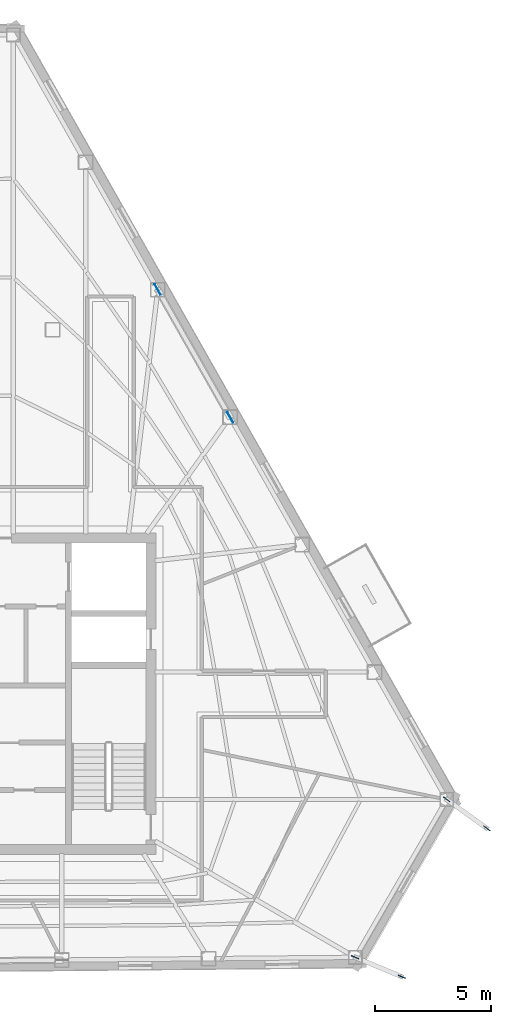
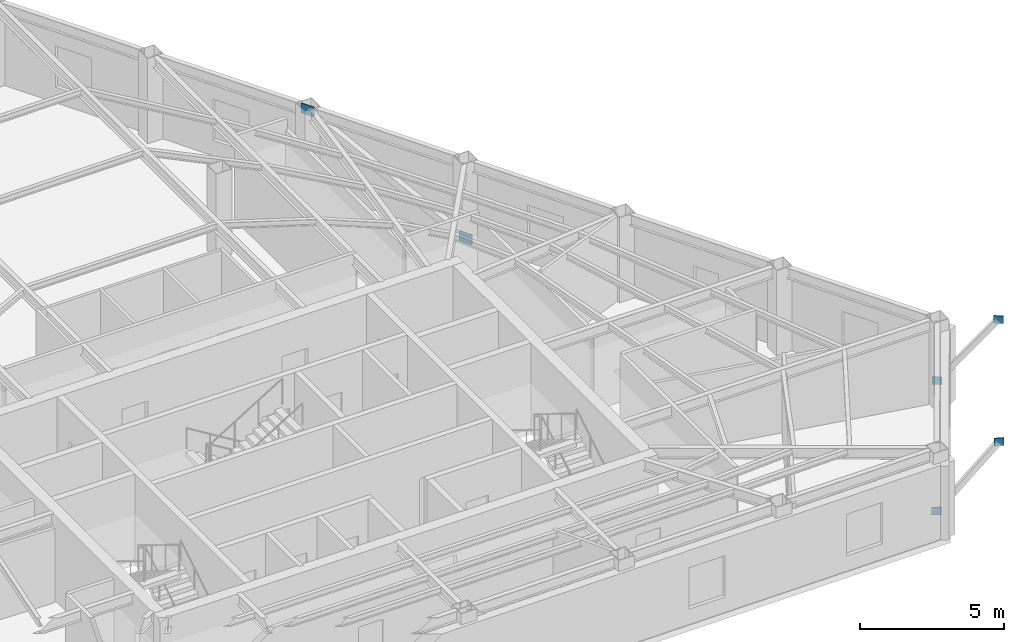
# One storey, part 5 of 10: 6 plates.
"""IFC4 building model written with IfcOpenShell, lengths in metres."""

import ifcopenshell
import ifcopenshell.guid

model = None  # the IFC model being written
_history = None  # IfcOwnerHistory: only IFC2X3 demands one
_inside = {}  # id of a spatial element -> (the spatial element, [elements in it])
_under = {}  # id of a project, library or spatial element -> (it, [spatial elements below it])
_declared = {}  # id of a project -> (the project, [libraries it declares])
_typed = {}  # id of a type object -> (the type object, [elements of that type])
_made_of = {}  # id of a material, layer set ... -> (it, [elements and type objects made of it])


def new_model(schema):
    """Start an empty IFC model of exactly this schema.

    Asked for "IFC4X3", IfcOpenShell would pick the latest addendum, in which some entities
    have other attributes; the version numbers below select the first issue.
    IFC2X3 requires an IfcOwnerHistory on every rooted entity: one is made here for all.
    """
    global model, _history
    if schema == "IFC4X3":
        model = ifcopenshell.file(schema_version=(4, 3, 0, 0))
    else:
        model = ifcopenshell.file(schema=schema)
    _inside.clear()
    _under.clear()
    _declared.clear()
    _typed.clear()
    _made_of.clear()
    _history = None
    if model.schema == "IFC2X3":
        org = make("IfcOrganization", Name="unknown")
        user = make(
            "IfcPersonAndOrganization",
            ThePerson=make("IfcPerson", FamilyName="unknown"),
            TheOrganization=org,
        )
        app = make(
            "IfcApplication",
            ApplicationDeveloper=org,
            Version="unknown",
            ApplicationFullName="unknown",
            ApplicationIdentifier="unknown",
        )
        _history = make(
            "IfcOwnerHistory",
            OwningUser=user,
            OwningApplication=app,
            ChangeAction="ADDED",
            CreationDate=0,
        )
    return model


def make(cls, **values):
    """One entity of the class cls with the attributes given. An attribute that is None is left unset."""
    return model.create_entity(
        cls, **{name: value for name, value in values.items() if value is not None}
    )


def rooted(cls, **values):
    """An entity with a GlobalId (a new one), such as an element, a storey or a relation."""
    return make(cls, GlobalId=ifcopenshell.guid.new(), OwnerHistory=_history, **values)


def si_unit(unit_type, name, prefix=None):
    """IfcSIUnit, for example si_unit("LENGTHUNIT", "METRE", prefix="MILLI")."""
    return make("IfcSIUnit", UnitType=unit_type, Prefix=prefix, Name=name)


def assignment(units):
    """IfcUnitAssignment: the units of a project."""
    return None if units is None else make("IfcUnitAssignment", Units=units)


def point(xyz):
    """IfcCartesianPoint."""
    return None if xyz is None else make("IfcCartesianPoint", Coordinates=xyz)


def direction(xyz):
    """IfcDirection."""
    return None if xyz is None else make("IfcDirection", DirectionRatios=xyz)


def frame(location, z_axis=None, x_axis=None):
    """IfcAxis2Placement3D, a coordinate frame: its origin and axes. An axis left out is left unset."""
    return make(
        "IfcAxis2Placement3D",
        Location=point(location),
        Axis=direction(z_axis),
        RefDirection=direction(x_axis),
    )


def frame_2d(location, x_axis=None):
    """IfcAxis2Placement2D, a coordinate frame in the plane: its origin and x axis."""
    return make(
        "IfcAxis2Placement2D", Location=point(location), RefDirection=direction(x_axis)
    )


def origin():
    """The frame at (0, 0, 0) with its axes left unset."""
    return frame((0.0, 0.0, 0.0))


def origin_2d():
    """The frame at (0, 0) in the plane with its x axis left unset."""
    return frame_2d((0.0, 0.0))


def place(relative_to, where):
    """IfcLocalPlacement: puts the frame where relative to a parent placement (None: the world)."""
    return make(
        "IfcLocalPlacement", PlacementRelTo=relative_to, RelativePlacement=where
    )


def context(
    kind, dimensions, precision=None, world=None, true_north=None, identifier=None
):
    """IfcGeometricRepresentationContext, for example the 3D "Model" context."""
    return make(
        "IfcGeometricRepresentationContext",
        ContextIdentifier=identifier,
        ContextType=kind,
        CoordinateSpaceDimension=dimensions,
        Precision=precision,
        WorldCoordinateSystem=world,
        TrueNorth=true_north,
    )


def subcontext(parent, identifier, kind, view, scale=None):
    """IfcGeometricRepresentationSubContext, for example "Body" below "Model"."""
    return make(
        "IfcGeometricRepresentationSubContext",
        ContextIdentifier=identifier,
        ContextType=kind,
        ParentContext=parent,
        TargetScale=scale,
        TargetView=view,
    )


def project(units=None, contexts=None):
    """IfcProject with its units and contexts."""
    return rooted(
        "IfcProject",
        Name="project",
        RepresentationContexts=contexts,
        UnitsInContext=assignment(units),
    )


def spatial(cls, under=None, at=None, **own):
    """A site, building, storey or space (cls), placed at a placement, below another one or the project."""
    s = rooted(cls, ObjectPlacement=at, **own)
    if under is not None:
        _under.setdefault(under.id(), (under, []))[1].append(s)
    return s


def profile(cls, at=None, kind="AREA", **sizes):
    """A parametric profile (cls). Its sizes go by their IFC names, for example OverallWidth=200.0."""
    return make(cls, ProfileType=kind, Position=at, **sizes)


def rectangle(**sizes):
    """IfcRectangleProfileDef."""
    return profile("IfcRectangleProfileDef", **sizes)


def extrude(swept, where, along, depth):
    """IfcExtrudedAreaSolid: the profile swept, set in the frame where, extruded along a direction by depth."""
    return make(
        "IfcExtrudedAreaSolid",
        SweptArea=swept,
        Position=where,
        ExtrudedDirection=direction(along),
        Depth=depth,
    )


def shape(context_of_items, identifier, shape_type, items):
    """IfcShapeRepresentation: the items that make up one representation, for example the "Body"."""
    return make(
        "IfcShapeRepresentation",
        ContextOfItems=context_of_items,
        RepresentationIdentifier=identifier,
        RepresentationType=shape_type,
        Items=items,
    )


def material(Name=None, Category=None):
    """IfcMaterial."""
    return make("IfcMaterial", Name=Name, Category=Category)


def layer(
    of_material, thickness, ventilated=None, Name=None, Category=None, Priority=None
):
    """IfcMaterialLayer: one layer of a wall or slab, of a material (None: an air gap)."""
    return make(
        "IfcMaterialLayer",
        Material=of_material,
        LayerThickness=thickness,
        IsVentilated=ventilated,
        Name=Name,
        Category=Category,
        Priority=Priority,
    )


def layer_set(layers, Name=None):
    """IfcMaterialLayerSet."""
    return make("IfcMaterialLayerSet", MaterialLayers=layers, LayerSetName=Name)


def made_of(thing, what):
    """Note that an element or type object is made of a material, layer set ...; save() writes the relation."""
    if what is not None:
        _made_of.setdefault(what.id(), (what, []))[1].append(thing)
    return thing


def type_object(cls, material=None, **own):
    """A type object (cls), such as IfcWallType, which elements share."""
    return made_of(rooted(cls, **own), material)


def element(
    cls,
    number,
    at=None,
    inside=None,
    cuts=None,
    type_object=None,
    material=None,
    context=None,
    identifier="Body",
    shape_type=None,
    held_by="IfcProductDefinitionShape",
    body=None,
    shapes=None,
    **own,
):
    """One element of the class cls, such as IfcWall. Its Tag is "e" and its number.

    at: its placement. inside: the storey or other place that contains it. cuts: it is an
    opening in that element (IfcRelVoidsElement). A single representation is given by context,
    identifier, shape_type and body (its items); several are given by shapes. held_by: the class
    of the entity that holds the representations. save() writes the other relations.
    """
    e = rooted(cls, Tag="e%d" % number, ObjectPlacement=at, **own)
    if body is not None:
        shapes = [shape(context, identifier, shape_type, body)]
    if shapes is not None:
        e.Representation = make(held_by, Representations=shapes)
    if inside is not None:
        _inside.setdefault(inside.id(), (inside, []))[1].append(e)
    if cuts is not None:
        rooted(
            "IfcRelVoidsElement", RelatingBuildingElement=cuts, RelatedOpeningElement=e
        )
    if type_object is not None:
        _typed.setdefault(type_object.id(), (type_object, []))[1].append(e)
    return made_of(e, material)


def aggregate(whole, parts):
    """IfcRelAggregates: a whole, such as a stair, and the parts it consists of."""
    return rooted("IfcRelAggregates", RelatingObject=whole, RelatedObjects=parts)


def save(model, path):
    """Write the relations noted so far, then the file.

    IfcRelAggregates (storeys below a building ...), IfcRelContainedInSpatialStructure (elements
    in a storey), IfcRelDefinesByType, IfcRelAssociatesMaterial and IfcRelDeclares: one each for
    every whole, place, type object, material and project.
    """
    for whole, parts in _under.values():
        aggregate(whole, parts)
    for where, things in _inside.values():
        rooted(
            "IfcRelContainedInSpatialStructure",
            RelatedElements=things,
            RelatingStructure=where,
        )
    for kind, things in _typed.values():
        rooted("IfcRelDefinesByType", RelatedObjects=things, RelatingType=kind)
    for what, things in _made_of.values():
        rooted("IfcRelAssociatesMaterial", RelatedObjects=things, RelatingMaterial=what)
    for by, libraries in _declared.values():
        rooted("IfcRelDeclares", RelatingContext=by, RelatedDefinitions=libraries)
    model.write(path)


model = new_model("IFC4")

# Units and contexts
model_context = context("Model", 3, precision=1e-05, world=origin(), true_north=direction((0.0, 1.0)))
body_context = subcontext(model_context, "Body", "Model", "MODEL_VIEW")
ifc_project = project(units=[si_unit("LENGTHUNIT", "METRE"), si_unit("AREAUNIT", "SQUARE_METRE"), si_unit("VOLUMEUNIT", "CUBIC_METRE"), si_unit("PLANEANGLEUNIT", "RADIAN"), si_unit("MASSUNIT", "GRAM", prefix="KILO")], contexts=[model_context])

# Site, building, storey
site_placement = place(None, origin())
site = spatial("IfcSite", under=ifc_project, at=site_placement, CompositionType="ELEMENT")
building_placement = place(site_placement, origin())
building = spatial("IfcBuilding", under=site, at=building_placement, Name="Kavelnor Concourse Tower", CompositionType="ELEMENT")
storey_placement = place(building_placement, frame((0.0, 0.0, 222.75)))
storey = spatial("IfcBuildingStorey", under=building, at=storey_placement, Name="L56", CompositionType="ELEMENT", Elevation=222.75)

# Plates
ifc_material = material(Name="Steel Grade 350", Category="steel")
ifc_layer_1 = layer(ifc_material, 0.028076171875, Name="Steel Grade 350")
ifc_layer_set_1 = layer_set([ifc_layer_1], Name="Steel Grade 350")
plate_type_1 = type_object("IfcPlateType", Name="PL-GUSSET-FOLD", PredefinedType="USERDEFINED", material=ifc_layer_set_1)
for number, where, z_axis, x_axis, name in (
    (1, (56.550537109375, 4.734130859375, 0.73974609375), (0.0, 0.0, 1.0), (0.922740022919, -0.385422949633, 0.0), "L56 Terrace Strut Gusset GP4 C2-A End Gusset A"),
    (2, (58.566162109375, 3.892578125, 3.47509765625), (0.0, 0.0, 1.0), (0.922740022919, -0.385422949633, 0.0), "L56 Terrace Strut Gusset GP4 C2-A End Gusset B"),
    (3, (60.4951171875, 11.546142578125, 0.73974609375), (0.0, 0.0, 1.0), (0.811777874123, -0.583966337286, 0.0), "L56 Terrace Strut Gusset GP4 C2-B End Gusset A"),
    (4, (62.23876953125, 10.291748046875, 3.47509765625), (0.0, 0.0, 1.0), (0.811777874123, -0.583966337286, 0.0), "L56 Terrace Strut Gusset GP4 C2-B End Gusset B"),
):
    element("IfcPlate", number, at=place(storey_placement, frame(where, z_axis=z_axis, x_axis=x_axis)), inside=storey, type_object=plate_type_1, Name=name, ObjectType="GUSSET_PLATE", PredefinedType="USERDEFINED", context=body_context, shape_type="SweptSolid", body=[
        extrude(rectangle(XDim=0.340087890625, YDim=0.028076171875, at=origin_2d()), origin(), (0.0, 0.0, 1.0), 0.320068359375),
    ])
ifc_layer_2 = layer(ifc_material, 0.031982421875, Name="Steel Grade 350")
ifc_layer_set_2 = layer_set([ifc_layer_2], Name="Steel Grade 350")
plate_type_2 = type_object("IfcPlateType", Name="PL-GUSSET-TUBE-Z1", PredefinedType="USERDEFINED", material=ifc_layer_set_2)
for number, where, z_axis, x_axis, name in (
    (5, (51.162109375, 28.0224609375, 0.010009765625), (0.0, 0.0, 1.0), (-0.493182901134, 0.869925643966, 0.0), "L56 Tube Brace Gusset GP3 F2-B3 End Gusset A"),
    (6, (48.033935546875, 33.541015625, 3.16015625), (0.0, 0.0, 1.0), (-0.493182901134, 0.869925643966, 0.0), "L56 Tube Brace Gusset GP3 F2-B3 End Gusset B"),
):
    element("IfcPlate", number, at=place(storey_placement, frame(where, z_axis=z_axis, x_axis=x_axis)), inside=storey, type_object=plate_type_2, Name=name, ObjectType="GUSSET_PLATE", PredefinedType="USERDEFINED", context=body_context, shape_type="SweptSolid", body=[
        extrude(rectangle(XDim=0.52001953125, YDim=0.031982421875, at=origin_2d()), origin(), (0.0, 0.0, 1.0), 0.419921875),
    ])

save(model, "model.ifc")
